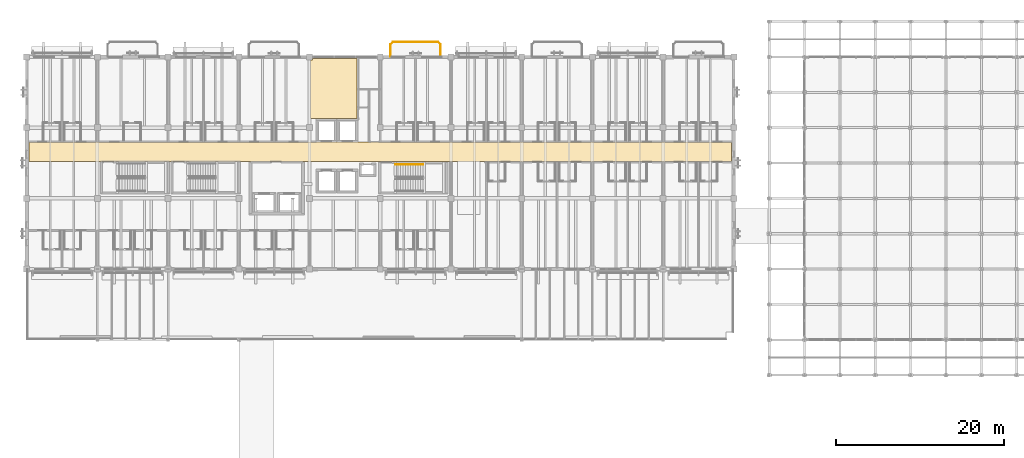
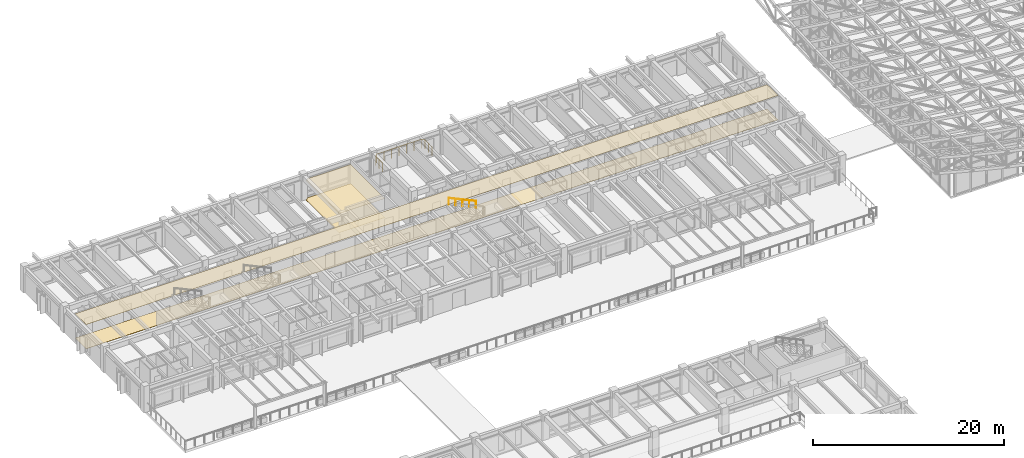
# One storey, part 110 of 111: 4 coverings, 2 railings.
"""IFC4 building model written with IfcOpenShell, lengths in metres."""

from ifc_helpers import new_model, si_unit, direction, frame, origin, origin_2d, place, context, subcontext, project, spatial, polyline, circle, outline, extrude, material, layer, layer_set, type_object, element, save


model = new_model("IFC4")

# Units and contexts
model_context = context("Model", 3, precision=1e-05, world=origin(), true_north=direction((0.0, 1.0)))
body_context = subcontext(model_context, "Body", "Model", "MODEL_VIEW")
ifc_project = project(units=[si_unit("LENGTHUNIT", "METRE"), si_unit("AREAUNIT", "SQUARE_METRE"), si_unit("VOLUMEUNIT", "CUBIC_METRE"), si_unit("PLANEANGLEUNIT", "RADIAN"), si_unit("MASSUNIT", "GRAM", prefix="KILO")], contexts=[model_context])

# Site, building, storey
site_placement = place(None, origin())
site = spatial("IfcSite", under=ifc_project, at=site_placement, CompositionType="ELEMENT")
building_placement = place(site_placement, origin())
building = spatial("IfcBuilding", under=site, at=building_placement, Name="Cumbredor Promenade Congress Hotel", CompositionType="ELEMENT")
storey_placement = place(building_placement, frame((0.0, 0.0, 15.1201171875)))
storey = spatial("IfcBuildingStorey", under=building, at=storey_placement, Name="L04", CompositionType="ELEMENT", Elevation=15.1201171875)

# Coverings
ifc_material_1 = material(Name="Acoustic mineral-fiber and gypsum ceiling")
ifc_layer_1 = layer(ifc_material_1, 0.028076171875, Name="Acoustic mineral-fiber and gypsum ceiling")
ifc_layer_set_1 = layer_set([ifc_layer_1], Name="Acoustic mineral-fiber and gypsum ceiling")
covering_type_1 = type_object("IfcCoveringType", Name="Acoustic Perforated Gypsum Ceiling CLG-03 28mm", PredefinedType="CEILING", material=ifc_layer_set_1)
covering_1_placement = place(storey_placement, frame((0.0, 0.0, 3.091796875)))
element("IfcCovering", 1, at=covering_1_placement, inside=storey, type_object=covering_type_1, Name="L04 Hotel Guest Corridor Acoustic Ceiling", PredefinedType="CEILING", context=body_context, shape_type="SweptSolid", body=[
    extrude(outline(polyline([(0.2548828125, 107.469970703125), (83.7451171875, 107.469970703125), (83.7451171875, 105.179931640625), (0.2548828125, 105.179931640625), (0.2548828125, 107.469970703125)])), origin(), (0.0, 0.0, 1.0), 0.028076171875),
])
ifc_layer_2 = layer(ifc_material_1, 0.031982421875, Name="Acoustic mineral-fiber and gypsum ceiling")
ifc_layer_set_2 = layer_set([ifc_layer_2], Name="Acoustic mineral-fiber and gypsum ceiling")
covering_type_2 = type_object("IfcCoveringType", Name="Acoustic Perforated Gypsum Ceiling CLG-04 32mm", PredefinedType="CEILING", material=ifc_layer_set_2)
covering_2_placement = place(storey_placement, frame((0.0, 0.0, 2.43896484375)))
element("IfcCovering", 2, at=covering_2_placement, inside=storey, type_object=covering_type_2, Name="L04 Cordillera Reading Salon Acoustic Ceiling", PredefinedType="CEILING", context=body_context, shape_type="SweptSolid", body=[
    extrude(outline(polyline([(39.239990234375, 117.43994140625), (39.239990234375, 110.280029296875), (33.72998046875, 110.280029296875), (33.72998046875, 117.2451171875), (33.955078125, 117.2451171875), (33.955078125, 117.43994140625), (39.239990234375, 117.43994140625)])), origin(), (0.0, 0.0, 1.0), 0.031982421875),
])
ifc_material_2 = material(Name="Porcelain stoneware tile", Category="masonry")
ifc_layer_3 = layer(ifc_material_2, 0.02490234375, Name="Porcelain stoneware tile", Category="masonry")
ifc_layer_set_3 = layer_set([ifc_layer_3], Name="Porcelain stoneware tile")
covering_type_3 = type_object("IfcCoveringType", Name="Porcelain Stoneware Flooring FLR-02 25mm", PredefinedType="FLOORING", material=ifc_layer_set_3)
covering_3_placement = place(storey_placement, origin())
element("IfcCovering", 3, at=covering_3_placement, inside=storey, type_object=covering_type_3, Name="L04 Hotel Guest Corridor Porcelain Flooring", PredefinedType="FLOORING", context=body_context, shape_type="SweptSolid", body=[
    extrude(outline(polyline([(0.2548828125, 107.469970703125), (83.7451171875, 107.469970703125), (83.7451171875, 105.179931640625), (0.2548828125, 105.179931640625), (0.2548828125, 107.469970703125)])), origin(), (0.0, 0.0, 1.0), 0.02490234375),
])
ifc_layer_4 = layer(ifc_material_2, 0.030029296875, Name="Porcelain stoneware tile", Category="masonry")
ifc_layer_set_4 = layer_set([ifc_layer_4], Name="Porcelain stoneware tile")
covering_type_4 = type_object("IfcCoveringType", Name="Porcelain Stoneware Flooring FLR-03 30mm", PredefinedType="FLOORING", material=ifc_layer_set_4)
covering_4_placement = place(storey_placement, origin())
element("IfcCovering", 4, at=covering_4_placement, inside=storey, type_object=covering_type_4, Name="L04 Cordillera Reading Salon Porcelain Flooring", PredefinedType="FLOORING", context=body_context, shape_type="SweptSolid", body=[
    extrude(outline(polyline([(39.239990234375, 117.43994140625), (39.239990234375, 110.280029296875), (33.72998046875, 110.280029296875), (33.72998046875, 117.2451171875), (33.955078125, 117.2451171875), (33.955078125, 117.43994140625), (39.239990234375, 117.43994140625)])), origin(), (0.0, 0.0, 1.0), 0.02978515625),
])

# Railings
ifc_material_3 = material(Name="Brushed stainless steel", Category="steel")
railing_type_1 = type_object("IfcRailingType", Name="Sky Garden Glass-and-Steel Balustrade BAL-1150", PredefinedType="BALUSTRADE", material=ifc_material_3)
railing_1_placement = place(storey_placement, frame((43.22998046875, 117.64990234375, 0.0)))
element("IfcRailing", 5, at=railing_1_placement, inside=storey, type_object=railing_type_1, Name="L04 Veranda Balcony Balustrade 022", PredefinedType="BALUSTRADE", context=body_context, shape_type="SweptSolid", body=[
    extrude(circle(Radius=0.02392578125, at=origin_2d()), frame((0.0, 0.0, 1.1259765625), z_axis=(0.0, 1.0, 0.0), x_axis=(-1.0, 0.0, 0.0)), (0.0, 0.0, 1.0), 1.440185546875),
    extrude(circle(Radius=0.02392578125, at=origin_2d()), frame((0.0, 1.440185546875, 1.1259765625), z_axis=(0.707106781187, 0.707106781187, 0.0), x_axis=(-0.707106781187, 0.707106781187, 0.0)), (0.0, 0.0, 1.0), 0.39599609375),
    extrude(circle(Radius=0.02392578125, at=origin_2d()), frame((0.280029296875, 1.72021484375, 1.1259765625), z_axis=(1.0, 0.0, 0.0), x_axis=(0.0, 1.0, 0.0)), (0.0, 0.0, 1.0), 5.3798828125),
    extrude(circle(Radius=0.02392578125, at=origin_2d()), frame((5.659912109375, 1.72021484375, 1.1259765625), z_axis=(0.707106781187, -0.707106781187, 0.0), x_axis=(0.707106781187, 0.707106781187, 0.0)), (0.0, 0.0, 1.0), 0.39599609375),
    extrude(circle(Radius=0.02392578125, at=origin_2d()), frame((5.93994140625, 1.440185546875, 1.1259765625), z_axis=(0.0, -1.0, 0.0), x_axis=(1.0, 0.0, 0.0)), (0.0, 0.0, 1.0), 1.440185546875),
    extrude(circle(Radius=0.02099609375, at=origin_2d()), origin(), (0.0, 0.0, 1.0), 1.101806640625),
    extrude(circle(Radius=0.02099609375, at=origin_2d()), frame((0.0, 0.72021484375, 0.0)), (0.0, 0.0, 1.0), 1.101806640625),
    extrude(circle(Radius=0.02099609375, at=origin_2d()), frame((0.0, 1.440185546875, 0.0)), (0.0, 0.0, 1.0), 1.101806640625),
    extrude(circle(Radius=0.02099609375, at=origin_2d()), frame((0.280029296875, 1.72021484375, 0.0)), (0.0, 0.0, 1.0), 1.101806640625),
    extrude(circle(Radius=0.02099609375, at=origin_2d()), frame((1.1767578125, 1.72021484375, 0.0)), (0.0, 0.0, 1.0), 1.101806640625),
    extrude(circle(Radius=0.02099609375, at=origin_2d()), frame((2.0732421875, 1.72021484375, 0.0)), (0.0, 0.0, 1.0), 1.101806640625),
    extrude(circle(Radius=0.02099609375, at=origin_2d()), frame((2.969970703125, 1.72021484375, 0.0)), (0.0, 0.0, 1.0), 1.101806640625),
    extrude(circle(Radius=0.02099609375, at=origin_2d()), frame((3.86669921875, 1.72021484375, 0.0)), (0.0, 0.0, 1.0), 1.101806640625),
    extrude(circle(Radius=0.02099609375, at=origin_2d()), frame((4.76318359375, 1.72021484375, 0.0)), (0.0, 0.0, 1.0), 1.101806640625),
    extrude(circle(Radius=0.02099609375, at=origin_2d()), frame((5.659912109375, 1.72021484375, 0.0)), (0.0, 0.0, 1.0), 1.101806640625),
    extrude(circle(Radius=0.02099609375, at=origin_2d()), frame((5.93994140625, 1.440185546875, 0.0)), (0.0, 0.0, 1.0), 1.101806640625),
    extrude(circle(Radius=0.02099609375, at=origin_2d()), frame((5.93994140625, 0.72021484375, 0.0)), (0.0, 0.0, 1.0), 1.101806640625),
    extrude(circle(Radius=0.02099609375, at=origin_2d()), frame((5.93994140625, 0.0, 0.0)), (0.0, 0.0, 1.0), 1.101806640625),
])
railing_type_2 = type_object("IfcRailingType", Name="Stair Pitch Handrail HR-900", PredefinedType="HANDRAIL", material=ifc_material_3)
railing_2_placement = place(storey_placement, frame((47.10009765625, 104.820068359375, 1.81982421875)))
element("IfcRailing", 6, at=railing_2_placement, inside=storey, type_object=railing_type_2, Name="L04 ST-03 stair handrail 2", PredefinedType="HANDRAIL", context=body_context, shape_type="SweptSolid", body=[
    extrude(circle(Radius=0.02392578125, at=origin_2d()), frame((0.0, 0.0, 0.8759765625), z_axis=(-0.906181427284, 0.0, 0.422889135408), x_axis=(0.0, -1.0, 0.0)), (0.0, 0.0, 1.0), 3.6416015625),
    extrude(circle(Radius=0.02099609375, at=origin_2d()), origin(), (0.0, 0.0, 1.0), 0.851806640625),
    extrude(circle(Radius=0.02099609375, at=origin_2d()), frame((-0.824951171875, 0.0, 0.385009765625)), (0.0, 0.0, 1.0), 0.851806640625),
    extrude(circle(Radius=0.02099609375, at=origin_2d()), frame((-1.64990234375, 0.0, 0.77001953125)), (0.0, 0.0, 1.0), 0.851806640625),
    extrude(circle(Radius=0.02099609375, at=origin_2d()), frame((-2.47509765625, 0.0, 1.155029296875)), (0.0, 0.0, 1.0), 0.851806640625),
    extrude(circle(Radius=0.02099609375, at=origin_2d()), frame((-3.300048828125, 0.0, 1.5400390625)), (0.0, 0.0, 1.0), 0.851806640625),
])

save(model, "model.ifc")
